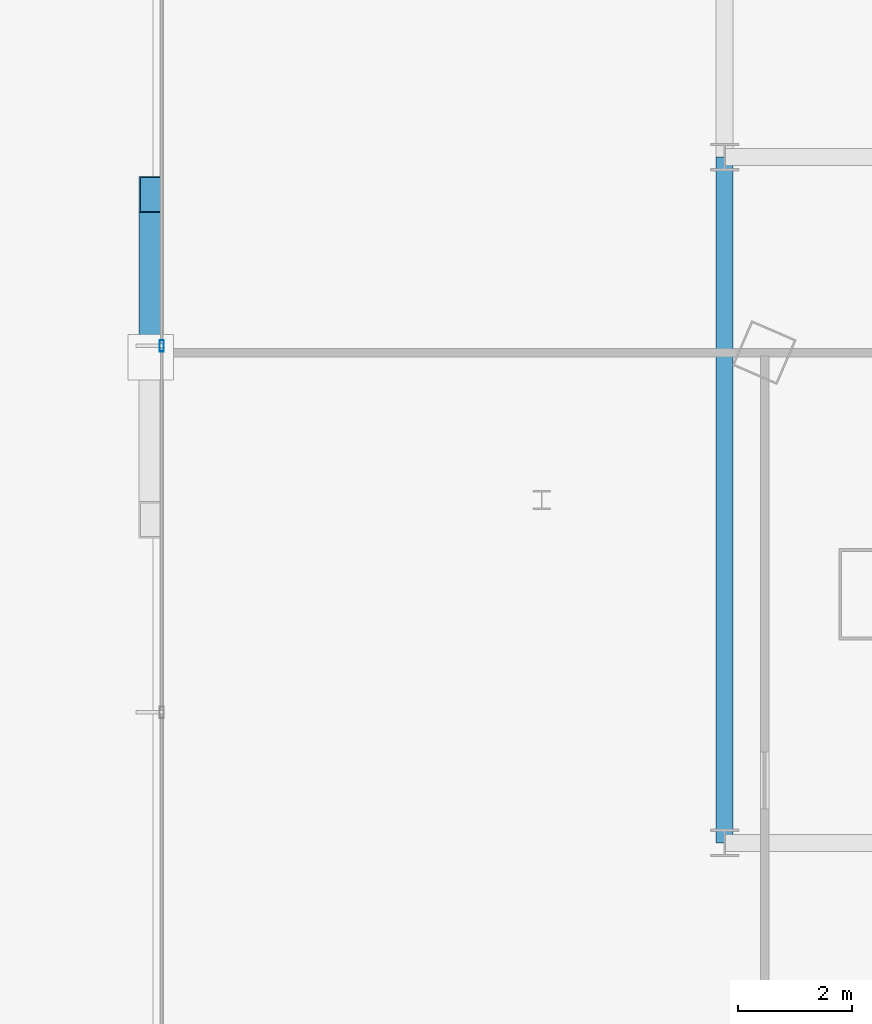
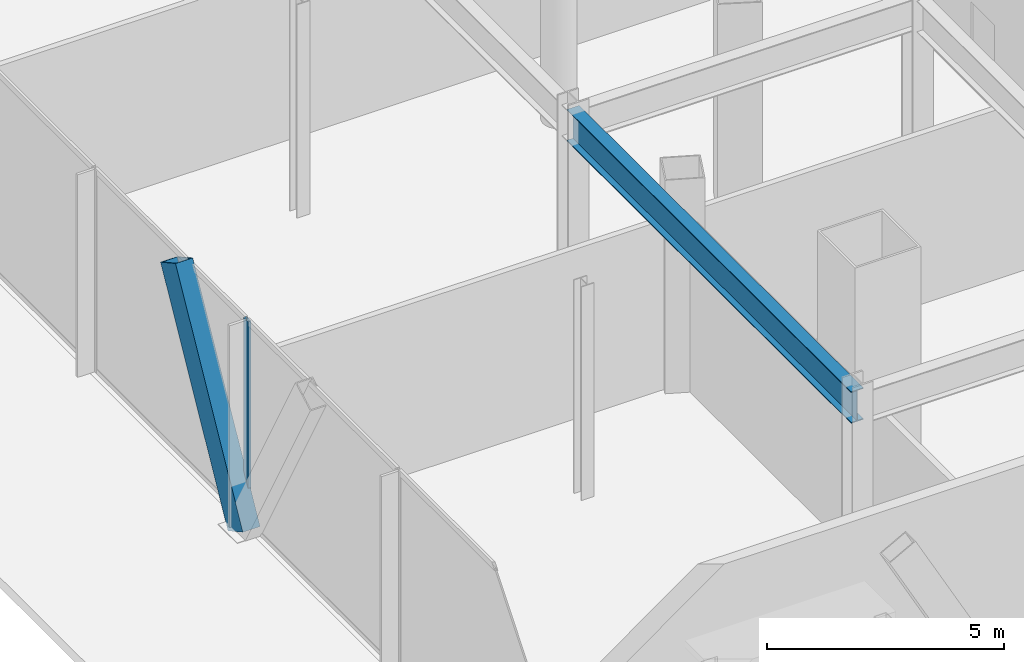
# One storey, part 7 of 38: 2 members, 1 beam, 1 element without a shape of its own.
"""IFC4 building model written with IfcOpenShell, lengths in metres."""

from ifc_helpers import new_model, si_unit, direction, frame, origin, origin_2d, place, context, subcontext, project, spatial, hollow_rectangle, i_section, extrude, material, layer, layer_set, material_profile, profile_set, type_object, element, aggregate, save


model = new_model("IFC4")

# Units and contexts
model_context = context("Model", 3, precision=1e-05, world=origin(), true_north=direction((0.0, 1.0)))
body_context = subcontext(model_context, "Body", "Model", "MODEL_VIEW")
ifc_project = project(units=[si_unit("LENGTHUNIT", "METRE"), si_unit("AREAUNIT", "SQUARE_METRE"), si_unit("VOLUMEUNIT", "CUBIC_METRE"), si_unit("PLANEANGLEUNIT", "RADIAN"), si_unit("MASSUNIT", "GRAM", prefix="KILO")], contexts=[model_context])

# Site, building, storey
site_placement = place(None, origin())
site = spatial("IfcSite", under=ifc_project, at=site_placement, CompositionType="ELEMENT")
building_placement = place(site_placement, origin())
building = spatial("IfcBuilding", under=site, at=building_placement, Name="Orvanel Arch Residences", CompositionType="ELEMENT")
storey_placement = place(building_placement, origin())
storey = spatial("IfcBuildingStorey", under=building, at=storey_placement, Name="L00", CompositionType="ELEMENT", Elevation=0.0)

# Beam
ifc_material_1 = material(Name="Structural steel AS/NZS 3678 Grade 350", Category="steel")
ifc_material_profile_1 = material_profile(ifc_material_1, i_section(OverallWidth=0.300048828125, OverallDepth=0.81591796875, WebThickness=0.013916015625, FlangeThickness=0.02392578125, at=origin_2d()), Name="800WB192")
ifc_profile_set_1 = profile_set([ifc_material_profile_1], Name="Structural steel AS/NZS 3678 Grade 350")
beam_type = type_object("IfcBeamType", Name="BG-800WB", PredefinedType="BEAM", material=ifc_profile_set_1)
beam_placement = place(storey_placement, frame((11.39990234375, 6.0, 4.81201171875), z_axis=(0.0, 1.0, 0.0), x_axis=(-1.0, 0.0, 0.0)))
element("IfcBeam", 1, at=beam_placement, inside=storey, type_object=beam_type, Name="L00 North-South Podium Girder XW11-S", PredefinedType="BEAM", context=body_context, shape_type="SweptSolid", body=[
    extrude(i_section(OverallWidth=0.300048828125, OverallDepth=0.81591796875, WebThickness=0.013916015625, FlangeThickness=0.02392578125, at=origin_2d()), origin(), (0.0, 0.0, 1.0), 12.0),
])

# Member
ifc_material_profile_2 = material_profile(ifc_material_1, hollow_rectangle(XDim=0.419921875, YDim=0.719970703125, WallThickness=0.02490234375, at=origin_2d()), Name="RHS720x420x25")
ifc_profile_set_2 = profile_set([ifc_material_profile_2], Name="Structural steel AS/NZS 3678 Grade 350")
member_type_1 = type_object("IfcMemberType", Name="BR-720RHS-EXT", PredefinedType="BRACE", material=ifc_profile_set_2)
member_1_placement = place(storey_placement, frame((1.360107421875, 14.5, 0.0), z_axis=(0.0, 0.48010111861, 0.877213153065), x_axis=(-1.0, 0.0, 0.0)))
element("IfcMember", 2, at=member_1_placement, inside=storey, type_object=member_type_1, Name="L00 Podium Multi-Storey V-Strut Pair W1 Leg 2", PredefinedType="BRACE", context=body_context, shape_type="SweptSolid", body=[
    extrude(hollow_rectangle(XDim=0.419921875, YDim=0.719970703125, WallThickness=0.02490234375, at=origin_2d()), origin(), (0.0, 0.0, 1.0), 5.927734375),
])

# Curtain wall, member
ifc_material_2 = material(Name="Bronze-anodised aluminium AA6063-T6", Category="aluminium")
ifc_layer = layer(ifc_material_2, 0.199951171875)
ifc_layer_set = layer_set([ifc_layer], Name="Bronze-anodised aluminium AA6063-T6")
curtain_wall_type = type_object("IfcCurtainWallType", Name="CW1-POD-SYS", PredefinedType="NOTDEFINED", material=ifc_layer_set)
curtain_wall_placement = place(storey_placement, origin())
curtain_wall = element("IfcCurtainWall", 3, at=curtain_wall_placement, inside=storey, type_object=curtain_wall_type, Name="L00 CW1-POD-SYS Unitised Curtain Wall", PredefinedType="NOTDEFINED")
ifc_material_profile_3 = material_profile(ifc_material_2, hollow_rectangle(XDim=0.074951171875, YDim=0.199951171875, WallThickness=0.0048828125, at=origin_2d()), Name="ALU200x75x5")
ifc_profile_set_3 = profile_set([ifc_material_profile_3], Name="Bronze-anodised aluminium AA6063-T6")
member_type_2 = type_object("IfcMemberType", Name="MUL-200x75", PredefinedType="MULLION", material=ifc_profile_set_3)
member_2_placement = place(storey_placement, frame((1.550048828125, 14.697509765625, 0.0), z_axis=(0.0, 0.0, 1.0), x_axis=(1.0, 0.0, 0.0)))
member_2 = element("IfcMember", 4, at=member_2_placement, type_object=member_type_2, Name="CW-S1 mullion 7", PredefinedType="MULLION", context=body_context, shape_type="SweptSolid", body=[
    extrude(hollow_rectangle(XDim=0.074951171875, YDim=0.199951171875, WallThickness=0.0048828125, at=origin_2d()), origin(), (0.0, 0.0, 1.0), 5.219970703125),
])
aggregate(curtain_wall, [member_2])

save(model, "model.ifc")
